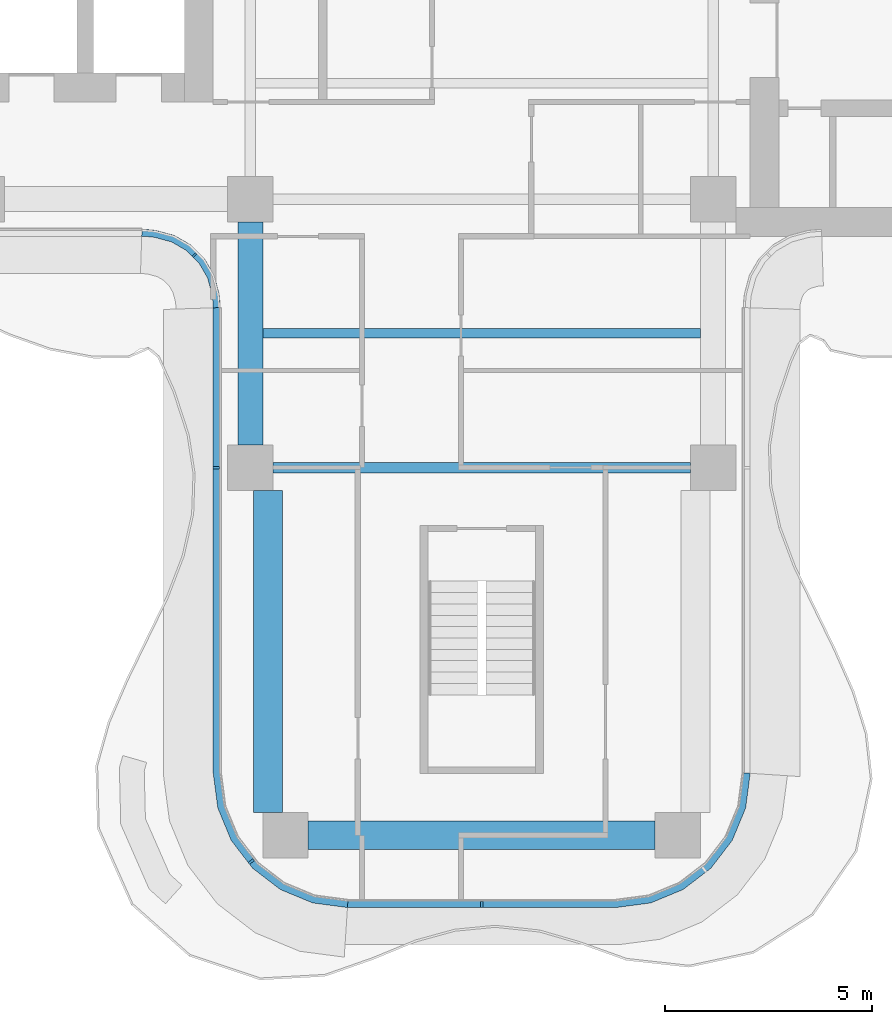
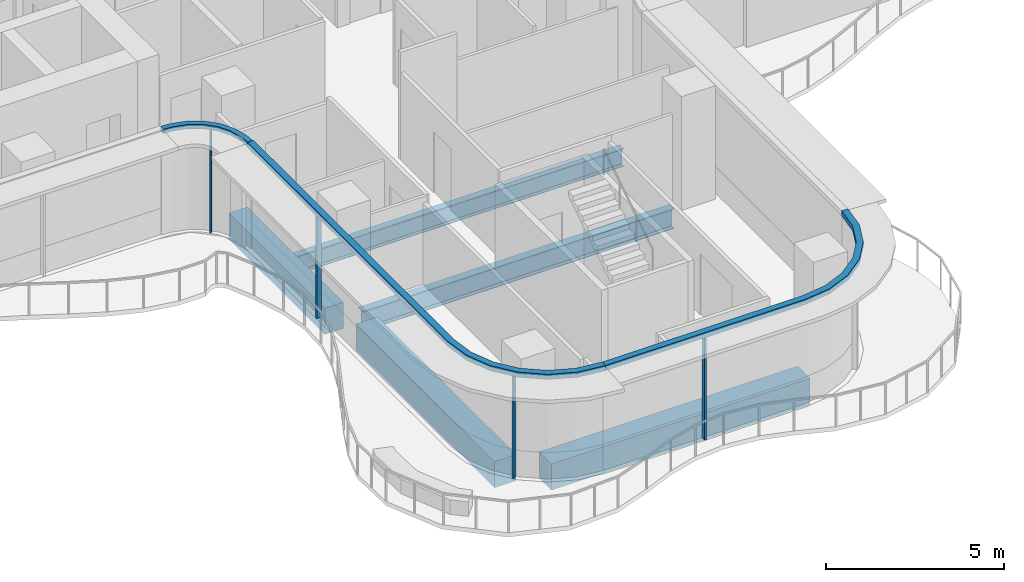
# One storey, part 2 of 16: 7 members, 5 beams, 3 elements without a shape of their own.
"""IFC4 building model written with IfcOpenShell, lengths in metres."""

from ifc_helpers import new_model, si_unit, direction, frame, origin, origin_2d, place, context, subcontext, project, spatial, polyline, rectangle, i_section, outline, extrude, source, transform, mapped, material, layer, layer_set, material_profile, profile_set, type_object, element, aggregate, save


model = new_model("IFC4")

# Units and contexts
model_context = context("Model", 3, precision=1e-05, world=origin(), true_north=direction((0.0, 1.0)))
body_context = subcontext(model_context, "Body", "Model", "MODEL_VIEW")
ifc_project = project(units=[si_unit("LENGTHUNIT", "METRE"), si_unit("AREAUNIT", "SQUARE_METRE"), si_unit("VOLUMEUNIT", "CUBIC_METRE"), si_unit("PLANEANGLEUNIT", "RADIAN"), si_unit("MASSUNIT", "GRAM", prefix="KILO")], contexts=[model_context])

# Site, building, storey
site_placement = place(None, origin())
site = spatial("IfcSite", under=ifc_project, at=site_placement, CompositionType="ELEMENT")
building_placement = place(site_placement, origin())
building = spatial("IfcBuilding", under=site, at=building_placement, Name="Trellis Farm Tower", CompositionType="ELEMENT")
storey_placement = place(building_placement, frame((0.0, 0.0, 263.60009765625)))
storey = spatial("IfcBuildingStorey", under=building, at=storey_placement, Name="L59", CompositionType="ELEMENT", Elevation=263.60009765625)

# Beams
ifc_material_1 = material(Name="Steel S355", Category="steel")
ifc_material_profile_1 = material_profile(ifc_material_1, i_section(OverallWidth=0.22900390625, OverallDepth=0.6123046875, WebThickness=0.011962890625, FlangeThickness=0.01953125, FilletRadius=0.0126953125, at=origin_2d()), Name="UB 610x229x125")
ifc_profile_set_1 = profile_set([ifc_material_profile_1], Name="Steel S355")
beam_type_1 = type_object("IfcBeamType", Name="UB 610x229x125 joist", PredefinedType="JOIST", material=ifc_profile_set_1)
shared_shape_1 = source(origin(), body_context, "Body", "SweptSolid", [
    extrude(i_section(OverallWidth=0.22900390625, OverallDepth=0.6123046875, WebThickness=0.011962890625, FlangeThickness=0.01953125, FilletRadius=0.0126953125, at=origin_2d()), origin(), (0.0, 0.0, 1.0), 10.60009765625),
])
beam_1_placement = place(storey_placement, frame((-5.300048828125, -8.85009765625, -0.506103515625), z_axis=(1.0, 0.0, 0.0), x_axis=(0.0, 1.0, 0.0)))
element("IfcBeam", 1, at=beam_1_placement, inside=storey, type_object=beam_type_1, Name="Floor beam", PredefinedType="JOIST", context=body_context, shape_type="MappedRepresentation", body=[
    mapped(shared_shape_1, transform((0.0, 0.0, 0.0))),
])
ifc_material_profile_2 = material_profile(ifc_material_1, i_section(OverallWidth=0.253662109375, OverallDepth=0.68359375, WebThickness=0.012451171875, FlangeThickness=0.021728515625, FilletRadius=0.01513671875, at=origin_2d()), Name="UB 686x254x140")
ifc_profile_set_2 = profile_set([ifc_material_profile_2], Name="Steel S355")
beam_type_2 = type_object("IfcBeamType", Name="UB 686x254x140", PredefinedType="BEAM", material=ifc_profile_set_2)
shared_shape_2 = source(origin(), body_context, "Body", "SweptSolid", [
    extrude(i_section(OverallWidth=0.253662109375, OverallDepth=0.68359375, WebThickness=0.012451171875, FlangeThickness=0.021728515625, FilletRadius=0.01513671875, at=origin_2d()), origin(), (0.0, 0.0, 1.0), 10.10009765625),
])
beam_2_placement = place(storey_placement, frame((-5.050048828125, -12.10009765625, -0.541748046875), z_axis=(1.0, 0.0, 0.0), x_axis=(0.0, 1.0, 0.0)))
element("IfcBeam", 2, at=beam_2_placement, inside=storey, type_object=beam_type_2, Name="Girder", PredefinedType="BEAM", context=body_context, shape_type="MappedRepresentation", body=[
    mapped(shared_shape_2, transform((0.0, 0.0, 0.0))),
])
ifc_material_2 = material(Name="Concrete C60/75", Category="concrete")
ifc_material_profile_3 = material_profile(ifc_material_2, rectangle(XDim=0.60009765625, YDim=0.89990234375, at=origin_2d()), Name="RC spandrel beam 600x900 C60/75")
ifc_profile_set_3 = profile_set([ifc_material_profile_3], Name="Concrete C60/75")
beam_type_3 = type_object("IfcBeamType", Name="RC spandrel beam 600x900 C60/75", PredefinedType="SPANDREL", material=ifc_profile_set_3)
shared_shape_3 = source(origin(), body_context, "Body", "SweptSolid", [
    extrude(rectangle(XDim=0.60009765625, YDim=0.89990234375, at=origin_2d()), origin(), (0.0, 0.0, 1.0), 5.400146484375),
])
beam_3_placement = place(storey_placement, frame((-5.60009765625, -11.550048828125, -0.650146484375), z_axis=(0.0, 1.0, 0.0), x_axis=(-1.0, 0.0, 0.0)))
element("IfcBeam", 3, at=beam_3_placement, inside=storey, type_object=beam_type_3, Name="Girder", PredefinedType="SPANDREL", context=body_context, shape_type="MappedRepresentation", body=[
    mapped(shared_shape_3, transform((0.0, 0.0, 0.0))),
])
ifc_material_profile_4 = material_profile(ifc_material_2, rectangle(XDim=0.699951171875, YDim=0.89990234375, at=origin_2d()), Name="RC spandrel beam 700x900 C60/75")
ifc_profile_set_4 = profile_set([ifc_material_profile_4], Name="Concrete C60/75")
beam_type_4 = type_object("IfcBeamType", Name="RC spandrel beam 700x900 C60/75", PredefinedType="SPANDREL", material=ifc_profile_set_4)
shared_shape_4 = source(origin(), body_context, "Body", "SweptSolid", [
    extrude(rectangle(XDim=0.699951171875, YDim=0.89990234375, at=origin_2d()), origin(), (0.0, 0.0, 1.0), 8.39990234375),
])
beam_4_placement = place(storey_placement, frame((-4.199951171875, -21.0, -0.650146484375), z_axis=(1.0, 0.0, 0.0), x_axis=(0.0, 1.0, 0.0)))
element("IfcBeam", 4, at=beam_4_placement, inside=storey, type_object=beam_type_4, Name="Girder", PredefinedType="SPANDREL", context=body_context, shape_type="MappedRepresentation", body=[
    mapped(shared_shape_4, transform((0.0, 0.0, 0.0))),
])
shared_shape_5 = source(origin(), body_context, "Body", "SweptSolid", [
    extrude(rectangle(XDim=0.699951171875, YDim=0.89990234375, at=origin_2d()), origin(), (0.0, 0.0, 1.0), 7.800048828125),
])
beam_5_placement = place(storey_placement, frame((-5.175048828125, -20.449951171875, -0.650146484375), z_axis=(0.0, 1.0, 0.0), x_axis=(-1.0, 0.0, 0.0)))
element("IfcBeam", 5, at=beam_5_placement, inside=storey, type_object=beam_type_4, Name="Girder", PredefinedType="SPANDREL", context=body_context, shape_type="MappedRepresentation", body=[
    mapped(shared_shape_5, transform((0.0, 0.0, 0.0))),
])

# Curtain wall, members
ifc_material_3 = material(Name="Aluminium and glass curtain wall", Category="aluminium")
ifc_layer_1 = layer(ifc_material_3, 0.18994140625)
ifc_layer_set_1 = layer_set([ifc_layer_1], Name="RIBBON CURTAIN WALL CW1")
curtain_wall_type_1 = type_object("IfcCurtainWallType", Name="RIBBON CURTAIN WALL CW1", PredefinedType="NOTDEFINED", material=ifc_layer_set_1)
placement_1 = place(storey_placement, origin())
curtain_wall_1 = element("IfcCurtainWall", 6, at=placement_1, inside=storey, type_object=curtain_wall_type_1, Name="CW1 002", PredefinedType="NOTDEFINED")
ifc_material_4 = material(Name="Aluminium extrusion 6063-T6", Category="aluminium")
ifc_material_profile_5 = material_profile(ifc_material_4, rectangle(XDim=0.06005859375, YDim=0.14990234375, at=origin_2d()), Name="MULLION 60x150")
ifc_profile_set_5 = profile_set([ifc_material_profile_5], Name="Aluminium extrusion 6063-T6")
member_type_1 = type_object("IfcMemberType", Name="CW1 MULLION 60x150", PredefinedType="MULLION", material=ifc_profile_set_5)
shared_shape_6 = source(origin(), body_context, "Body", "SweptSolid", [
    extrude(rectangle(XDim=0.06005859375, YDim=0.14990234375, at=origin_2d()), origin(), (0.0, 0.0, 1.0), 3.52001953125),
])
member_1_placement = place(storey_placement, frame((-6.425048828125, -12.10009765625, 0.0), z_axis=(0.0, 0.0, 1.0), x_axis=(0.0, -1.0, 0.0)))
member_1 = element("IfcMember", 7, at=member_1_placement, type_object=member_type_1, Name="MU1 002-01", PredefinedType="MULLION", context=body_context, shape_type="MappedRepresentation", body=[
    mapped(shared_shape_6, transform((0.0, 0.0, 0.0))),
])
member_2_placement = place(storey_placement, frame((-5.578369140625, -21.635498046875, 0.0), z_axis=(0.0, 0.0, 1.0), x_axis=(0.608761429009, -0.793353340291, 0.0)))
member_2 = element("IfcMember", 8, at=member_2_placement, type_object=member_type_1, Name="MU1 002-02", PredefinedType="MULLION", context=body_context, shape_type="MappedRepresentation", body=[
    mapped(shared_shape_6, transform((0.0, 0.0, 0.0))),
])

# Curtain wall, member
curtain_wall_2 = element("IfcCurtainWall", 9, at=placement_1, inside=storey, type_object=curtain_wall_type_1, Name="CW1 003", PredefinedType="NOTDEFINED")
member_3_placement = place(storey_placement, frame((0.0, -22.675048828125, 0.0), z_axis=(0.0, 0.0, 1.0), x_axis=(1.0, 0.0, 0.0)))
member_3 = element("IfcMember", 10, at=member_3_placement, type_object=member_type_1, Name="MU1 003-01", PredefinedType="MULLION", context=body_context, shape_type="MappedRepresentation", body=[
    mapped(shared_shape_6, transform((0.0, 0.0, 0.0))),
])

# Curtain wall, members
ifc_layer_2 = layer(ifc_material_3, 0.166015625)
ifc_layer_set_2 = layer_set([ifc_layer_2], Name="WINTER GARDEN CURTAIN WALL CW3")
curtain_wall_type_2 = type_object("IfcCurtainWallType", Name="WINTER GARDEN CURTAIN WALL CW3", PredefinedType="NOTDEFINED", material=ifc_layer_set_2)
curtain_wall_3 = element("IfcCurtainWall", 11, at=placement_1, inside=storey, type_object=curtain_wall_type_2, Name="CW3 001", PredefinedType="NOTDEFINED")
ifc_layer_3 = layer(ifc_material_4, 0.169921875)
ifc_layer_set_3 = layer_set([ifc_layer_3], Name="Aluminium extrusion 6063-T6")
member_type_2 = type_object("IfcMemberType", Name="CW3 TRANSOM 170x150", PredefinedType="USERDEFINED", material=ifc_layer_set_3)
shared_shape_7 = source(origin(), body_context, "Body", "SweptSolid", [
    extrude(outline(polyline([(-8.2314453125, -6.5), (-8.01953125, -6.513916015625), (-7.91552734375, -6.527587890625), (-7.508544921875, -6.63671875), (-7.144287109375, -6.846923828125), (-6.846923828125, -7.144287109375), (-6.63671875, -7.508544921875), (-6.527587890625, -7.91552734375), (-6.513916015625, -8.01953125), (-6.5, -8.2314453125), (-6.330078125, -8.225830078125), (-6.3447265625, -8.0029296875), (-6.360595703125, -7.88232421875), (-6.478271484375, -7.44287109375), (-6.7109375, -7.0400390625), (-7.0400390625, -6.7109375), (-7.44287109375, -6.478271484375), (-7.88232421875, -6.360595703125), (-8.0029296875, -6.3447265625), (-8.225830078125, -6.330078125), (-8.2314453125, -6.5)])), origin(), (0.0, 0.0, 1.0), 0.150146484375),
])
member_4_placement = place(storey_placement, frame((0.0, 0.0, 3.5498046875)))
member_4 = element("IfcMember", 12, at=member_4_placement, type_object=member_type_2, Name="TR3 001", ObjectType="TRANSOM", PredefinedType="USERDEFINED", context=body_context, shape_type="MappedRepresentation", body=[
    mapped(shared_shape_7, transform((0.0, 0.0, 0.0))),
])
ifc_material_profile_6 = material_profile(ifc_material_4, rectangle(XDim=0.050048828125, YDim=0.1201171875, at=origin_2d()), Name="MULLION 50x120")
ifc_profile_set_6 = profile_set([ifc_material_profile_6], Name="Aluminium extrusion 6063-T6")
member_type_3 = type_object("IfcMemberType", Name="CW3 MULLION 50x120", PredefinedType="MULLION", material=ifc_profile_set_6)
shared_shape_8 = source(origin(), body_context, "Body", "SweptSolid", [
    extrude(rectangle(XDim=0.050048828125, YDim=0.1201171875, at=origin_2d()), origin(), (0.0, 0.0, 1.0), 3.5498046875),
])
member_5_placement = place(storey_placement, frame((-6.953125, -6.953125, 0.0), z_axis=(0.0, 0.0, 1.0), x_axis=(0.707106781187, -0.707106781187, 0.0)))
member_5 = element("IfcMember", 13, at=member_5_placement, type_object=member_type_3, Name="MU3 001-01", PredefinedType="MULLION", context=body_context, shape_type="MappedRepresentation", body=[
    mapped(shared_shape_8, transform((0.0, 0.0, 0.0))),
])
aggregate(curtain_wall_3, [member_5, member_4])

# Member
ifc_layer_4 = layer(ifc_material_4, 0.199951171875)
ifc_layer_set_4 = layer_set([ifc_layer_4], Name="Aluminium extrusion 6063-T6")
member_type_4 = type_object("IfcMemberType", Name="CW1 TRANSOM 200x180", PredefinedType="USERDEFINED", material=ifc_layer_set_4)
shared_shape_9 = source(origin(), body_context, "Body", "SweptSolid", [
    extrude(outline(polyline([(-6.5, -8.2314453125), (-6.5, -19.5), (-6.38916015625, -20.341064453125), (-6.064697265625, -21.125), (-5.548095703125, -21.798095703125), (-4.875, -22.314697265625), (-4.091064453125, -22.63916015625), (-3.25, -22.75), (-3.23681640625, -22.550048828125), (-4.0390625, -22.4443359375), (-4.774169921875, -22.139892578125), (-5.405517578125, -21.655517578125), (-5.889892578125, -21.024169921875), (-6.1943359375, -20.2890625), (-6.300048828125, -19.48681640625), (-6.300048828125, -8.224853515625), (-6.5, -8.2314453125)])), origin(), (0.0, 0.0, 1.0), 0.179931640625),
])
placement_2 = place(storey_placement, frame((0.0, 0.0, 3.52001953125)))
member_6 = element("IfcMember", 14, at=placement_2, type_object=member_type_4, Name="TR1 002", ObjectType="TRANSOM", PredefinedType="USERDEFINED", context=body_context, shape_type="MappedRepresentation", body=[
    mapped(shared_shape_9, transform((0.0, 0.0, 0.0))),
])

aggregate(curtain_wall_1, [member_1, member_2, member_6])

shared_shape_10 = source(origin(), body_context, "Body", "SweptSolid", [
    extrude(outline(polyline([(-3.25, -22.75), (3.25, -22.75), (4.091064453125, -22.63916015625), (4.875, -22.314697265625), (5.548095703125, -21.798095703125), (6.064697265625, -21.125), (6.38916015625, -20.341064453125), (6.5, -19.5), (6.300048828125, -19.48681640625), (6.1943359375, -20.2890625), (5.889892578125, -21.024169921875), (5.405517578125, -21.655517578125), (4.774169921875, -22.139892578125), (4.0390625, -22.4443359375), (3.23681640625, -22.550048828125), (-3.23681640625, -22.550048828125), (-3.25, -22.75)])), origin(), (0.0, 0.0, 1.0), 0.179931640625),
])
member_7 = element("IfcMember", 15, at=placement_2, type_object=member_type_4, Name="TR1 003", ObjectType="TRANSOM", PredefinedType="USERDEFINED", context=body_context, shape_type="MappedRepresentation", body=[
    mapped(shared_shape_10, transform((0.0, 0.0, 0.0))),
])

aggregate(curtain_wall_2, [member_3, member_7])

save(model, "model.ifc")
